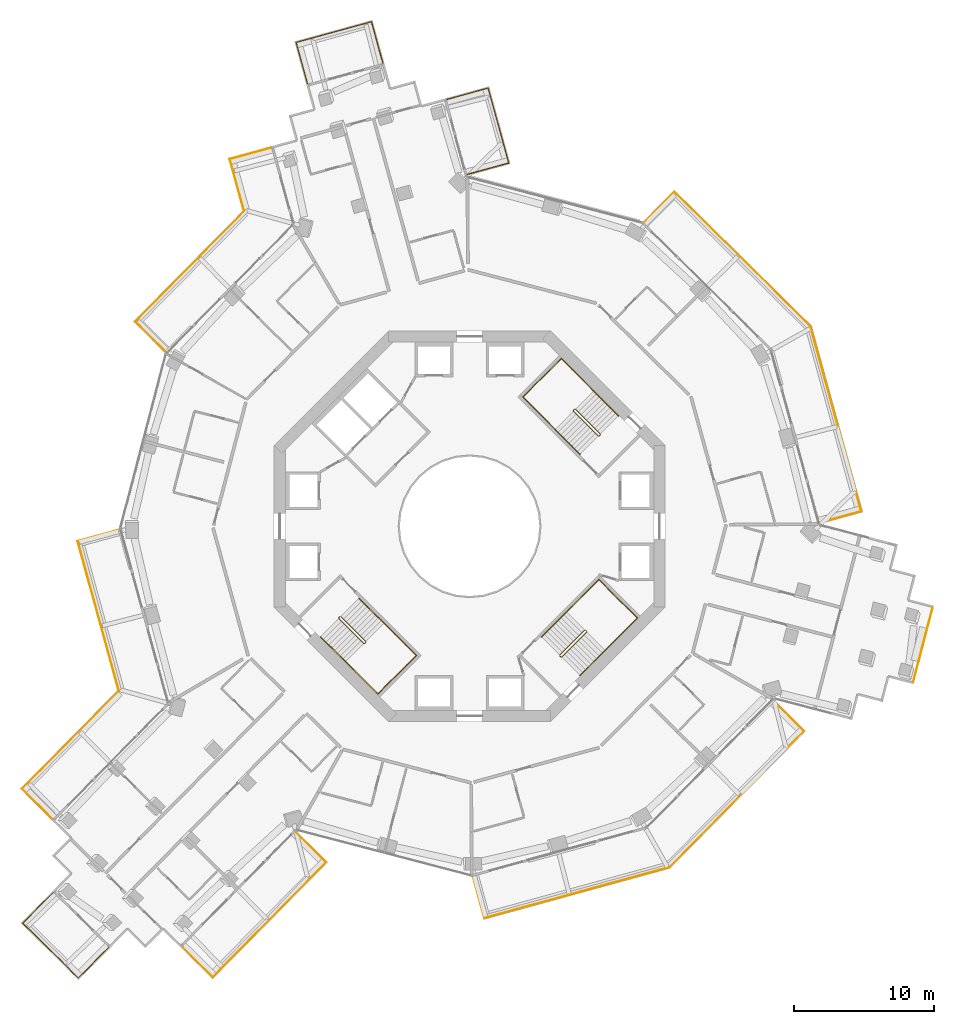
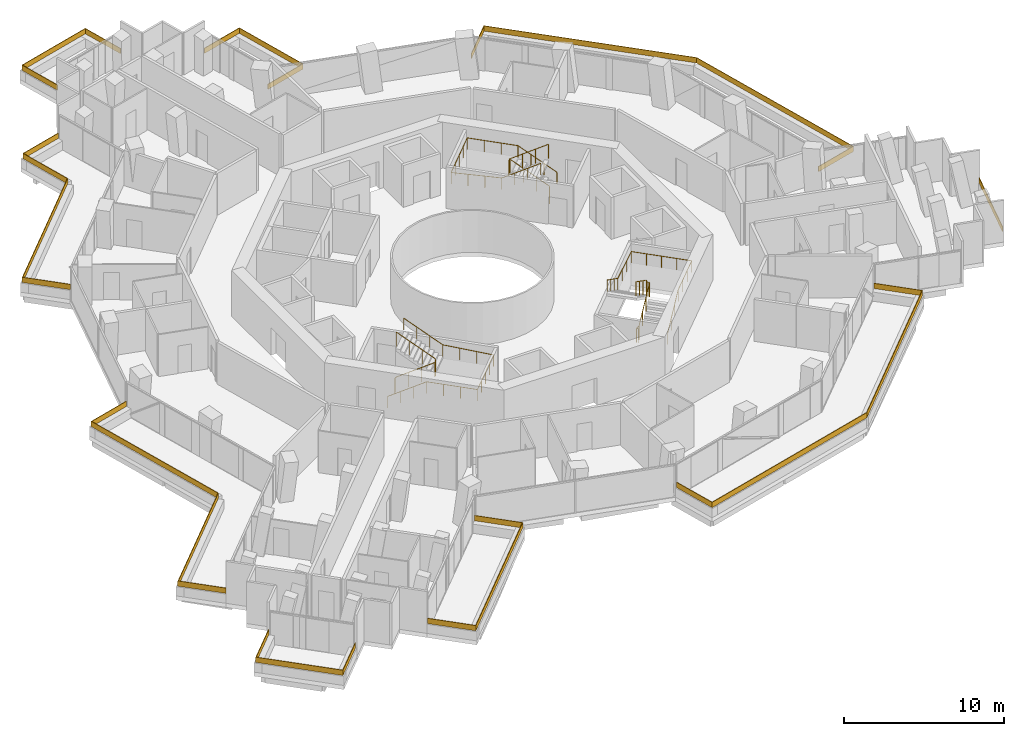
# One storey, part 26 of 26: 15 railings.
"""IFC4 building model written with IfcOpenShell, lengths in metres."""

from ifc_helpers import new_model, si_unit, direction, frame, origin, origin_2d, place, context, subcontext, project, spatial, polyline, rectangle, circle, outline, extrude, material, layer, layer_set, type_object, element, save


model = new_model("IFC4")

# Units and contexts
model_context = context("Model", 3, precision=1e-05, world=origin(), true_north=direction((0.0, 1.0)))
body_context = subcontext(model_context, "Body", "Model", "MODEL_VIEW")
ifc_project = project(units=[si_unit("LENGTHUNIT", "METRE"), si_unit("AREAUNIT", "SQUARE_METRE"), si_unit("VOLUMEUNIT", "CUBIC_METRE"), si_unit("PLANEANGLEUNIT", "RADIAN"), si_unit("MASSUNIT", "GRAM", prefix="KILO")], contexts=[model_context])

# Site, building, storey
site_placement = place(None, origin())
site = spatial("IfcSite", under=ifc_project, at=site_placement, CompositionType="ELEMENT")
building_placement = place(site_placement, origin())
building = spatial("IfcBuilding", under=site, at=building_placement, Name="Verdalira Terraces Hotel", CompositionType="ELEMENT")
storey_placement = place(building_placement, frame((0.0, 0.0, 96.5)))
storey = spatial("IfcBuildingStorey", under=building, at=storey_placement, Name="L22", CompositionType="ELEMENT", Elevation=96.5)

# Railings
ifc_material_1 = material(Name="Laminated glass", Category="glass")
ifc_layer = layer(ifc_material_1, 0.0400390625)
ifc_layer_set = layer_set([ifc_layer], Name="Balcony glass guard 400")
railing_type_1 = type_object("IfcRailingType", Name="Balcony glass guard 400", PredefinedType="GUARDRAIL", material=ifc_layer_set)
railing_1_placement = place(storey_placement, frame((0.0, 0.0, 0.699951)))
element("IfcRailing", 1, at=railing_1_placement, inside=storey, type_object=railing_type_1, Name="Balcony glass guard", PredefinedType="GUARDRAIL", context=body_context, shape_type="SweptSolid", body=[
    extrude(outline(polyline([(-7.042725, 36.133789), (-12.404297, 34.661133), (-11.588623, 31.692139), (-11.627197, 31.681396), (-12.453369, 34.689209), (-7.014893, 36.183105), (-6.188721, 33.175537), (-6.227295, 33.164795), (-7.042725, 36.133789)])), origin(), (0.0, 0.0, 1.0), 0.400146),
])
railing_2_placement = place(storey_placement, frame((0.0, 0.0, 0.699951)))
element("IfcRailing", 2, at=railing_2_placement, inside=storey, type_object=railing_type_1, Name="Balcony glass guard", PredefinedType="GUARDRAIL", context=body_context, shape_type="SweptSolid", body=[
    extrude(outline(polyline([(-17.160156, 26.302734), (-16.134521, 22.569092), (-23.935059, 14.669678), (-21.744385, 12.506104), (-21.772461, 12.477783), (-23.991699, 14.669434), (-16.179199, 22.580566), (-17.209229, 26.330811), (-14.20166, 27.156982), (-14.191162, 27.118408), (-17.160156, 26.302734)])), origin(), (0.0, 0.0, 1.0), 0.400146),
])
railing_3_placement = place(storey_placement, frame((0.0, 0.0, 0.699951)))
element("IfcRailing", 3, at=railing_3_placement, inside=storey, type_object=railing_type_1, Name="Balcony glass guard", PredefinedType="GUARDRAIL", context=body_context, shape_type="SweptSolid", body=[
    extrude(outline(polyline([(-28.051758, -1.089355), (-25.111084, -11.794678), (-32.047852, -18.818848), (-29.856934, -20.982422), (-29.88501, -21.010986), (-32.104248, -18.819336), (-25.155762, -11.782959), (-28.10083, -1.061279), (-25.093262, -0.235107), (-25.082764, -0.273682), (-28.051758, -1.089355)])), origin(), (0.0, 0.0, 1.0), 0.400146),
])
railing_4_placement = place(storey_placement, frame((0.0, 0.0, 0.699951)))
element("IfcRailing", 4, at=railing_4_placement, inside=storey, type_object=railing_type_1, Name="Balcony glass guard", PredefinedType="GUARDRAIL", context=body_context, shape_type="SweptSolid", body=[
    extrude(outline(polyline([(-31.987305, -28.435303), (-28.03125, -32.342041), (-25.867676, -30.151367), (-25.839355, -30.179443), (-28.030762, -32.398682), (-32.043945, -28.435791), (-29.852295, -26.216553), (-29.823975, -26.244629), (-31.987305, -28.435303)])), origin(), (0.0, 0.0, 1.0), 0.400146),
])
railing_5_placement = place(storey_placement, frame((0.0, 0.0, 0.699951)))
element("IfcRailing", 5, at=railing_5_placement, inside=storey, type_object=railing_type_1, Name="Balcony glass guard", PredefinedType="GUARDRAIL", context=body_context, shape_type="SweptSolid", body=[
    extrude(outline(polyline([(-18.414795, -32.281738), (-10.312988, -24.077393), (-12.503662, -21.914062), (-12.475586, -21.885498), (-10.256348, -24.077148), (-18.414307, -32.338379), (-20.633789, -30.146729), (-20.605469, -30.118164), (-18.414795, -32.281738)])), origin(), (0.0, 0.0, 1.0), 0.400146),
])
railing_6_placement = place(storey_placement, frame((0.0, 0.0, 0.699951)))
element("IfcRailing", 6, at=railing_6_placement, inside=storey, type_object=railing_type_1, Name="Balcony glass guard", PredefinedType="GUARDRAIL", context=body_context, shape_type="SweptSolid", body=[
    extrude(outline(polyline([(1.089355, -28.051758), (14.305176, -24.421387), (23.935059, -14.669678), (21.744385, -12.506104), (21.772461, -12.477783), (23.991699, -14.669434), (14.325928, -24.457275), (1.061279, -28.10083), (0.235107, -25.093262), (0.273682, -25.082764), (1.089355, -28.051758)])), origin(), (0.0, 0.0, 1.0), 0.400146),
])
railing_7_placement = place(storey_placement, frame((0.0, 0.0, 0.699951)))
element("IfcRailing", 7, at=railing_7_placement, inside=storey, type_object=railing_type_1, Name="Balcony glass guard", PredefinedType="GUARDRAIL", context=body_context, shape_type="SweptSolid", body=[
    extrude(outline(polyline([(28.051758, 1.089355), (24.421387, 14.305176), (14.669678, 23.935059), (12.506104, 21.744385), (12.477783, 21.772461), (14.669434, 23.991699), (24.457275, 14.325928), (28.10083, 1.061279), (25.093262, 0.235107), (25.082764, 0.273682), (28.051758, 1.089355)])), origin(), (0.0, 0.0, 1.0), 0.400146),
])
railing_8_placement = place(storey_placement, frame((0.0, 0.0, 0.699951)))
element("IfcRailing", 8, at=railing_8_placement, inside=storey, type_object=railing_type_1, Name="Balcony glass guard", PredefinedType="GUARDRAIL", context=body_context, shape_type="SweptSolid", body=[
    extrude(outline(polyline([(2.780518, 26.045166), (1.31543, 31.37793), (-1.653564, 30.5625), (-1.664062, 30.601074), (1.343506, 31.427246), (2.82959, 26.01709), (-0.177979, 25.190918), (-0.188721, 25.229492), (2.780518, 26.045166)])), origin(), (0.0, 0.0, 1.0), 0.400146),
])
railing_9_placement = place(storey_placement, frame((32.488525, -8.486816, 0.699951), z_axis=(0.0, 0.0, 1.0), x_axis=(0.252744885, 0.967532957, 0.0)))
element("IfcRailing", 9, at=railing_9_placement, inside=storey, type_object=railing_type_1, Name="Loggia glass guard", PredefinedType="GUARDRAIL", context=body_context, shape_type="SweptSolid", body=[
    extrude(rectangle(XDim=5.5, YDim=0.040039, at=origin_2d()), origin(), (0.0, 0.0, 1.0), 0.399902),
])
ifc_material_2 = material(Name="Stainless steel", Category="steel")
railing_type_2 = type_object("IfcRailingType", Name="Stair guard 1100", PredefinedType="GUARDRAIL", material=ifc_material_2)
railing_10_placement = place(storey_placement, frame((9.369141, 6.540771, 0.0)))
element("IfcRailing", 10, at=railing_10_placement, inside=storey, type_object=railing_type_2, Name="L22 ST1 stair guard 1", PredefinedType="GUARDRAIL", context=body_context, shape_type="SweptSolid", body=[
    extrude(circle(Radius=0.023926, at=origin_2d()), frame((0.0, 0.0, 1.076172), z_axis=(-0.707106781, -0.707106781, 0.0), x_axis=(0.707106781, -0.707106781, 0.0)), (0.0, 0.0, 1.0), 0.100098),
    extrude(circle(Radius=0.023926, at=origin_2d()), frame((-0.070801, -0.070801, 1.076172), z_axis=(0.300162975, 0.599290904, 0.742127078), x_axis=(-0.894118129, 0.447831187, 0.0)), (0.0, 0.0, 1.0), 0.23584),
    extrude(circle(Radius=0.023926, at=origin_2d()), frame((0.0, 0.070557, 1.250977), z_axis=(-0.599637504, 0.599637504, 0.52997144), x_axis=(-0.707106781, -0.707106781, 0.0)), (0.0, 0.0, 1.0), 2.97168),
    extrude(circle(Radius=0.023926, at=origin_2d()), frame((-1.781982, 1.852539, 2.826172), z_axis=(-1.0, 0.0, 0.0), x_axis=(0.0, -1.0, 0.0)), (0.0, 0.0, 1.0), 0.070557),
    extrude(circle(Radius=0.023926, at=origin_2d()), frame((-1.852539, 1.852539, 2.826172), z_axis=(-0.70832698, -0.705884473, 0.0), x_axis=(0.705884473, -0.70832698, 0.0)), (0.0, 0.0, 1.0), 0.099854),
    extrude(circle(Radius=0.023926, at=origin_2d()), frame((-1.92334, 1.781982, 2.826172), z_axis=(0.0, -0.374954687, 0.92704314), x_axis=(1.0, 0.0, 0.0)), (0.0, 0.0, 1.0), 0.188721),
    extrude(circle(Radius=0.023926, at=origin_2d()), frame((-1.92334, 1.711182, 3.000977), z_axis=(0.599637504, -0.599637504, 0.52997144), x_axis=(0.707106781, 0.707106781, 0.0)), (0.0, 0.0, 1.0), 2.97168),
    extrude(circle(Radius=0.020996, at=origin_2d()), origin(), (0.0, 0.0, 1.0), 1.052002),
    extrude(circle(Radius=0.020996, at=origin_2d()), frame((-0.070801, -0.070801, 0.0)), (0.0, 0.0, 1.0), 1.052002),
    extrude(circle(Radius=0.020996, at=origin_2d()), frame((0.0, 0.070557, 0.175049)), (0.0, 0.0, 1.0), 1.052002),
    extrude(circle(Radius=0.020996, at=origin_2d()), frame((-0.593994, 0.664551, 0.699951)), (0.0, 0.0, 1.0), 1.052002),
    extrude(circle(Radius=0.020996, at=origin_2d()), frame((-1.187988, 1.258545, 1.225098)), (0.0, 0.0, 1.0), 1.052002),
    extrude(circle(Radius=0.020996, at=origin_2d()), frame((-1.781982, 1.852539, 1.75)), (0.0, 0.0, 1.0), 1.052002),
    extrude(circle(Radius=0.020996, at=origin_2d()), frame((-1.852539, 1.852539, 1.75)), (0.0, 0.0, 1.0), 1.052002),
    extrude(circle(Radius=0.020996, at=origin_2d()), frame((-1.92334, 1.781982, 1.75)), (0.0, 0.0, 1.0), 1.052002),
    extrude(circle(Radius=0.020996, at=origin_2d()), frame((-1.92334, 1.711182, 1.925049)), (0.0, 0.0, 1.0), 1.052002),
    extrude(circle(Radius=0.020996, at=origin_2d()), frame((-1.329346, 1.117188, 2.449951)), (0.0, 0.0, 1.0), 1.052002),
    extrude(circle(Radius=0.020996, at=origin_2d()), frame((-0.735352, 0.523193, 2.975098)), (0.0, 0.0, 1.0), 1.052002),
    extrude(circle(Radius=0.020996, at=origin_2d()), frame((-0.141357, -0.070801, 3.5)), (0.0, 0.0, 1.0), 1.052002),
])
railing_11_placement = place(storey_placement, frame((-9.369141, -6.540771, 0.0)))
element("IfcRailing", 11, at=railing_11_placement, inside=storey, type_object=railing_type_2, Name="L22 ST2 stair guard 1", PredefinedType="GUARDRAIL", context=body_context, shape_type="SweptSolid", body=[
    extrude(circle(Radius=0.023926, at=origin_2d()), frame((0.0, 0.0, 1.076172), z_axis=(0.707106781, 0.707106781, 0.0), x_axis=(-0.707106781, 0.707106781, 0.0)), (0.0, 0.0, 1.0), 0.100098),
    extrude(circle(Radius=0.023926, at=origin_2d()), frame((0.070801, 0.070801, 1.076172), z_axis=(-0.300162975, -0.599290904, 0.742127078), x_axis=(0.894118129, -0.447831187, 0.0)), (0.0, 0.0, 1.0), 0.23584),
    extrude(circle(Radius=0.023926, at=origin_2d()), frame((0.0, -0.070557, 1.250977), z_axis=(0.599637504, -0.599637504, 0.52997144), x_axis=(0.707106781, 0.707106781, 0.0)), (0.0, 0.0, 1.0), 2.97168),
    extrude(circle(Radius=0.023926, at=origin_2d()), frame((1.781982, -1.852539, 2.826172), z_axis=(1.0, 0.0, 0.0), x_axis=(0.0, 1.0, 0.0)), (0.0, 0.0, 1.0), 0.070557),
    extrude(circle(Radius=0.023926, at=origin_2d()), frame((1.852539, -1.852539, 2.826172), z_axis=(0.70832698, 0.705884473, 0.0), x_axis=(-0.705884473, 0.70832698, 0.0)), (0.0, 0.0, 1.0), 0.099854),
    extrude(circle(Radius=0.023926, at=origin_2d()), frame((1.92334, -1.781982, 2.826172), z_axis=(0.0, 0.374954687, 0.92704314), x_axis=(-1.0, 0.0, 0.0)), (0.0, 0.0, 1.0), 0.188721),
    extrude(circle(Radius=0.023926, at=origin_2d()), frame((1.92334, -1.711182, 3.000977), z_axis=(-0.599637504, 0.599637504, 0.52997144), x_axis=(-0.707106781, -0.707106781, 0.0)), (0.0, 0.0, 1.0), 2.97168),
    extrude(circle(Radius=0.020996, at=origin_2d()), origin(), (0.0, 0.0, 1.0), 1.052002),
    extrude(circle(Radius=0.020996, at=origin_2d()), frame((0.070801, 0.070801, 0.0)), (0.0, 0.0, 1.0), 1.052002),
    extrude(circle(Radius=0.020996, at=origin_2d()), frame((0.0, -0.070557, 0.175049)), (0.0, 0.0, 1.0), 1.052002),
    extrude(circle(Radius=0.020996, at=origin_2d()), frame((0.593994, -0.664551, 0.699951)), (0.0, 0.0, 1.0), 1.052002),
    extrude(circle(Radius=0.020996, at=origin_2d()), frame((1.187988, -1.258545, 1.225098)), (0.0, 0.0, 1.0), 1.052002),
    extrude(circle(Radius=0.020996, at=origin_2d()), frame((1.781982, -1.852539, 1.75)), (0.0, 0.0, 1.0), 1.052002),
    extrude(circle(Radius=0.020996, at=origin_2d()), frame((1.852539, -1.852539, 1.75)), (0.0, 0.0, 1.0), 1.052002),
    extrude(circle(Radius=0.020996, at=origin_2d()), frame((1.92334, -1.781982, 1.75)), (0.0, 0.0, 1.0), 1.052002),
    extrude(circle(Radius=0.020996, at=origin_2d()), frame((1.92334, -1.711182, 1.925049)), (0.0, 0.0, 1.0), 1.052002),
    extrude(circle(Radius=0.020996, at=origin_2d()), frame((1.329346, -1.117188, 2.449951)), (0.0, 0.0, 1.0), 1.052002),
    extrude(circle(Radius=0.020996, at=origin_2d()), frame((0.735352, -0.523193, 2.975098)), (0.0, 0.0, 1.0), 1.052002),
    extrude(circle(Radius=0.020996, at=origin_2d()), frame((0.141357, 0.070801, 3.5)), (0.0, 0.0, 1.0), 1.052002),
])
railing_12_placement = place(storey_placement, frame((6.540771, -9.369141, 0.0)))
element("IfcRailing", 12, at=railing_12_placement, inside=storey, type_object=railing_type_2, Name="L22 ST3 stair guard 1", PredefinedType="GUARDRAIL", context=body_context, shape_type="SweptSolid", body=[
    extrude(circle(Radius=0.023926, at=origin_2d()), frame((0.0, 0.0, 1.076172), z_axis=(-0.707106781, 0.707106781, 0.0), x_axis=(-0.707106781, -0.707106781, 0.0)), (0.0, 0.0, 1.0), 0.100098),
    extrude(circle(Radius=0.023926, at=origin_2d()), frame((-0.070801, 0.070801, 1.076172), z_axis=(0.599290904, -0.300162975, 0.742127078), x_axis=(0.447831187, 0.894118129, 0.0)), (0.0, 0.0, 1.0), 0.23584),
    extrude(circle(Radius=0.023926, at=origin_2d()), frame((0.070557, 0.0, 1.250977), z_axis=(0.599637504, 0.599637504, 0.52997144), x_axis=(-0.707106781, 0.707106781, 0.0)), (0.0, 0.0, 1.0), 2.97168),
    extrude(circle(Radius=0.023926, at=origin_2d()), frame((1.852539, 1.781982, 2.826172), z_axis=(0.0, 1.0, 0.0), x_axis=(-1.0, 0.0, 0.0)), (0.0, 0.0, 1.0), 0.070557),
    extrude(circle(Radius=0.023926, at=origin_2d()), frame((1.852539, 1.852539, 2.826172), z_axis=(-0.705884473, 0.70832698, 0.0), x_axis=(-0.70832698, -0.705884473, 0.0)), (0.0, 0.0, 1.0), 0.099854),
    extrude(circle(Radius=0.023926, at=origin_2d()), frame((1.781982, 1.92334, 2.826172), z_axis=(-0.374954687, 0.0, 0.92704314), x_axis=(0.0, -1.0, 0.0)), (0.0, 0.0, 1.0), 0.188721),
    extrude(circle(Radius=0.023926, at=origin_2d()), frame((1.711182, 1.92334, 3.000977), z_axis=(-0.599637504, -0.599637504, 0.52997144), x_axis=(0.707106781, -0.707106781, 0.0)), (0.0, 0.0, 1.0), 2.97168),
    extrude(circle(Radius=0.020996, at=origin_2d()), origin(), (0.0, 0.0, 1.0), 1.052002),
    extrude(circle(Radius=0.020996, at=origin_2d()), frame((-0.070801, 0.070801, 0.0)), (0.0, 0.0, 1.0), 1.052002),
    extrude(circle(Radius=0.020996, at=origin_2d()), frame((0.070557, 0.0, 0.175049)), (0.0, 0.0, 1.0), 1.052002),
    extrude(circle(Radius=0.020996, at=origin_2d()), frame((0.664551, 0.593994, 0.699951)), (0.0, 0.0, 1.0), 1.052002),
    extrude(circle(Radius=0.020996, at=origin_2d()), frame((1.258545, 1.187988, 1.225098)), (0.0, 0.0, 1.0), 1.052002),
    extrude(circle(Radius=0.020996, at=origin_2d()), frame((1.852539, 1.781982, 1.75)), (0.0, 0.0, 1.0), 1.052002),
    extrude(circle(Radius=0.020996, at=origin_2d()), frame((1.852539, 1.852539, 1.75)), (0.0, 0.0, 1.0), 1.052002),
    extrude(circle(Radius=0.020996, at=origin_2d()), frame((1.781982, 1.92334, 1.75)), (0.0, 0.0, 1.0), 1.052002),
    extrude(circle(Radius=0.020996, at=origin_2d()), frame((1.711182, 1.92334, 1.925049)), (0.0, 0.0, 1.0), 1.052002),
    extrude(circle(Radius=0.020996, at=origin_2d()), frame((1.117188, 1.329346, 2.449951)), (0.0, 0.0, 1.0), 1.052002),
    extrude(circle(Radius=0.020996, at=origin_2d()), frame((0.523193, 0.735352, 2.975098)), (0.0, 0.0, 1.0), 1.052002),
    extrude(circle(Radius=0.020996, at=origin_2d()), frame((-0.070801, 0.141357, 3.5)), (0.0, 0.0, 1.0), 1.052002),
])
ifc_material_3 = material(Name="Stainless steel", Category="steel")
railing_type_3 = type_object("IfcRailingType", Name="Stair handrail 900", PredefinedType="HANDRAIL", material=ifc_material_3)
railing_13_placement = place(storey_placement, frame((10.677246, 7.919678, 0.175049)))
element("IfcRailing", 13, at=railing_13_placement, inside=storey, type_object=railing_type_3, Name="L22 ST1 stair handrail 1", PredefinedType="HANDRAIL", context=body_context, shape_type="SweptSolid", body=[
    extrude(circle(Radius=0.023926, at=origin_2d()), frame((0.0, 0.0, 0.875977), z_axis=(-0.599614426, 0.599614426, 0.530023659), x_axis=(-0.707106781, -0.707106781, 0.0)), (0.0, 0.0, 1.0), 2.971436),
    extrude(circle(Radius=0.023926, at=origin_2d()), frame((-1.781738, 1.781738, 2.450684), z_axis=(-0.707106781, 0.707106781, 0.0), x_axis=(-0.707106781, -0.707106781, 0.0)), (0.0, 0.0, 1.0), 3.280029),
    extrude(circle(Radius=0.023926, at=origin_2d()), frame((-4.101074, 4.101074, 2.450684), z_axis=(-0.707138081, -0.70707548, 0.0), x_axis=(0.70707548, -0.707138081, 0.0)), (0.0, 0.0, 1.0), 3.899902),
    extrude(circle(Radius=0.023926, at=origin_2d()), frame((-6.858887, 1.343506, 2.450684), z_axis=(0.706101958, -0.706101958, 0.053292116), x_axis=(0.707106781, 0.707106781, 0.0)), (0.0, 0.0, 1.0), 3.284668),
    extrude(circle(Radius=0.023926, at=origin_2d()), frame((-4.539551, -0.97583, 2.625977), z_axis=(0.599637504, -0.599637504, 0.52997144), x_axis=(0.707106781, 0.707106781, 0.0)), (0.0, 0.0, 1.0), 2.97168),
    extrude(circle(Radius=0.020996, at=origin_2d()), origin(), (0.0, 0.0, 1.0), 0.851807),
    extrude(circle(Radius=0.020996, at=origin_2d()), frame((-0.593994, 0.593994, 0.524902)), (0.0, 0.0, 1.0), 0.851807),
    extrude(circle(Radius=0.020996, at=origin_2d()), frame((-1.187744, 1.187744, 1.050049)), (0.0, 0.0, 1.0), 0.851807),
    extrude(circle(Radius=0.020996, at=origin_2d()), frame((-1.781738, 1.781738, 1.574951)), (0.0, 0.0, 1.0), 0.851807),
    extrude(circle(Radius=0.020996, at=origin_2d()), frame((-2.554932, 2.554932, 1.574951)), (0.0, 0.0, 1.0), 0.851807),
    extrude(circle(Radius=0.020996, at=origin_2d()), frame((-3.327881, 3.327881, 1.574951)), (0.0, 0.0, 1.0), 0.851807),
    extrude(circle(Radius=0.020996, at=origin_2d()), frame((-4.101074, 4.101074, 1.574951)), (0.0, 0.0, 1.0), 0.851807),
    extrude(circle(Radius=0.020996, at=origin_2d()), frame((-4.790527, 3.411621, 1.574951)), (0.0, 0.0, 1.0), 0.851807),
    extrude(circle(Radius=0.020996, at=origin_2d()), frame((-5.47998, 2.722168, 1.574951)), (0.0, 0.0, 1.0), 0.851807),
    extrude(circle(Radius=0.020996, at=origin_2d()), frame((-6.169434, 2.032959, 1.574951)), (0.0, 0.0, 1.0), 0.851807),
    extrude(circle(Radius=0.020996, at=origin_2d()), frame((-6.858887, 1.343506, 1.574951)), (0.0, 0.0, 1.0), 0.851807),
    extrude(circle(Radius=0.020996, at=origin_2d()), frame((-6.085693, 0.570312, 1.633301)), (0.0, 0.0, 1.0), 0.851807),
    extrude(circle(Radius=0.020996, at=origin_2d()), frame((-5.312744, -0.202637, 1.69165)), (0.0, 0.0, 1.0), 0.851807),
    extrude(circle(Radius=0.020996, at=origin_2d()), frame((-4.539551, -0.97583, 1.75)), (0.0, 0.0, 1.0), 0.851807),
    extrude(circle(Radius=0.020996, at=origin_2d()), frame((-3.945557, -1.569824, 2.274902)), (0.0, 0.0, 1.0), 0.851807),
    extrude(circle(Radius=0.020996, at=origin_2d()), frame((-3.351562, -2.163818, 2.800049)), (0.0, 0.0, 1.0), 0.851807),
    extrude(circle(Radius=0.020996, at=origin_2d()), frame((-2.757568, -2.757812, 3.324951)), (0.0, 0.0, 1.0), 0.851807),
])
railing_14_placement = place(storey_placement, frame((-10.677246, -7.919678, 0.175049)))
element("IfcRailing", 14, at=railing_14_placement, inside=storey, type_object=railing_type_3, Name="L22 ST2 stair handrail 1", PredefinedType="HANDRAIL", context=body_context, shape_type="SweptSolid", body=[
    extrude(circle(Radius=0.023926, at=origin_2d()), frame((0.0, 0.0, 0.875977), z_axis=(0.599614426, -0.599614426, 0.530023659), x_axis=(0.707106781, 0.707106781, 0.0)), (0.0, 0.0, 1.0), 2.971436),
    extrude(circle(Radius=0.023926, at=origin_2d()), frame((1.781738, -1.781738, 2.450684), z_axis=(0.707106781, -0.707106781, 0.0), x_axis=(0.707106781, 0.707106781, 0.0)), (0.0, 0.0, 1.0), 3.280029),
    extrude(circle(Radius=0.023926, at=origin_2d()), frame((4.101074, -4.101074, 2.450684), z_axis=(0.707138081, 0.70707548, 0.0), x_axis=(-0.70707548, 0.707138081, 0.0)), (0.0, 0.0, 1.0), 3.899902),
    extrude(circle(Radius=0.023926, at=origin_2d()), frame((6.858887, -1.343506, 2.450684), z_axis=(-0.706101958, 0.706101958, 0.053292116), x_axis=(-0.707106781, -0.707106781, 0.0)), (0.0, 0.0, 1.0), 3.284668),
    extrude(circle(Radius=0.023926, at=origin_2d()), frame((4.539551, 0.97583, 2.625977), z_axis=(-0.599637504, 0.599637504, 0.52997144), x_axis=(-0.707106781, -0.707106781, 0.0)), (0.0, 0.0, 1.0), 2.97168),
    extrude(circle(Radius=0.020996, at=origin_2d()), origin(), (0.0, 0.0, 1.0), 0.851807),
    extrude(circle(Radius=0.020996, at=origin_2d()), frame((0.593994, -0.593994, 0.524902)), (0.0, 0.0, 1.0), 0.851807),
    extrude(circle(Radius=0.020996, at=origin_2d()), frame((1.187744, -1.187744, 1.050049)), (0.0, 0.0, 1.0), 0.851807),
    extrude(circle(Radius=0.020996, at=origin_2d()), frame((1.781738, -1.781738, 1.574951)), (0.0, 0.0, 1.0), 0.851807),
    extrude(circle(Radius=0.020996, at=origin_2d()), frame((2.554932, -2.554932, 1.574951)), (0.0, 0.0, 1.0), 0.851807),
    extrude(circle(Radius=0.020996, at=origin_2d()), frame((3.327881, -3.327881, 1.574951)), (0.0, 0.0, 1.0), 0.851807),
    extrude(circle(Radius=0.020996, at=origin_2d()), frame((4.101074, -4.101074, 1.574951)), (0.0, 0.0, 1.0), 0.851807),
    extrude(circle(Radius=0.020996, at=origin_2d()), frame((4.790527, -3.411621, 1.574951)), (0.0, 0.0, 1.0), 0.851807),
    extrude(circle(Radius=0.020996, at=origin_2d()), frame((5.47998, -2.722168, 1.574951)), (0.0, 0.0, 1.0), 0.851807),
    extrude(circle(Radius=0.020996, at=origin_2d()), frame((6.169434, -2.032959, 1.574951)), (0.0, 0.0, 1.0), 0.851807),
    extrude(circle(Radius=0.020996, at=origin_2d()), frame((6.858887, -1.343506, 1.574951)), (0.0, 0.0, 1.0), 0.851807),
    extrude(circle(Radius=0.020996, at=origin_2d()), frame((6.085693, -0.570312, 1.633301)), (0.0, 0.0, 1.0), 0.851807),
    extrude(circle(Radius=0.020996, at=origin_2d()), frame((5.312744, 0.202637, 1.69165)), (0.0, 0.0, 1.0), 0.851807),
    extrude(circle(Radius=0.020996, at=origin_2d()), frame((4.539551, 0.97583, 1.75)), (0.0, 0.0, 1.0), 0.851807),
    extrude(circle(Radius=0.020996, at=origin_2d()), frame((3.945557, 1.569824, 2.274902)), (0.0, 0.0, 1.0), 0.851807),
    extrude(circle(Radius=0.020996, at=origin_2d()), frame((3.351562, 2.163818, 2.800049)), (0.0, 0.0, 1.0), 0.851807),
    extrude(circle(Radius=0.020996, at=origin_2d()), frame((2.757568, 2.757812, 3.324951)), (0.0, 0.0, 1.0), 0.851807),
])
railing_15_placement = place(storey_placement, frame((7.919678, -10.677246, 0.175049)))
element("IfcRailing", 15, at=railing_15_placement, inside=storey, type_object=railing_type_3, Name="L22 ST3 stair handrail 1", PredefinedType="HANDRAIL", context=body_context, shape_type="SweptSolid", body=[
    extrude(circle(Radius=0.023926, at=origin_2d()), frame((0.0, 0.0, 0.875977), z_axis=(0.599614426, 0.599614426, 0.530023659), x_axis=(-0.707106781, 0.707106781, 0.0)), (0.0, 0.0, 1.0), 2.971436),
    extrude(circle(Radius=0.023926, at=origin_2d()), frame((1.781738, 1.781738, 2.450684), z_axis=(0.707106781, 0.707106781, 0.0), x_axis=(-0.707106781, 0.707106781, 0.0)), (0.0, 0.0, 1.0), 3.280029),
    extrude(circle(Radius=0.023926, at=origin_2d()), frame((4.101074, 4.101074, 2.450684), z_axis=(-0.70707548, 0.707138081, 0.0), x_axis=(-0.707138081, -0.70707548, 0.0)), (0.0, 0.0, 1.0), 3.899902),
    extrude(circle(Radius=0.023926, at=origin_2d()), frame((1.343506, 6.858887, 2.450684), z_axis=(-0.706101958, -0.706101958, 0.053292116), x_axis=(0.707106781, -0.707106781, 0.0)), (0.0, 0.0, 1.0), 3.284668),
    extrude(circle(Radius=0.023926, at=origin_2d()), frame((-0.97583, 4.539551, 2.625977), z_axis=(-0.599637504, -0.599637504, 0.52997144), x_axis=(0.707106781, -0.707106781, 0.0)), (0.0, 0.0, 1.0), 2.97168),
    extrude(circle(Radius=0.020996, at=origin_2d()), origin(), (0.0, 0.0, 1.0), 0.851807),
    extrude(circle(Radius=0.020996, at=origin_2d()), frame((0.593994, 0.593994, 0.524902)), (0.0, 0.0, 1.0), 0.851807),
    extrude(circle(Radius=0.020996, at=origin_2d()), frame((1.187744, 1.187744, 1.050049)), (0.0, 0.0, 1.0), 0.851807),
    extrude(circle(Radius=0.020996, at=origin_2d()), frame((1.781738, 1.781738, 1.574951)), (0.0, 0.0, 1.0), 0.851807),
    extrude(circle(Radius=0.020996, at=origin_2d()), frame((2.554932, 2.554932, 1.574951)), (0.0, 0.0, 1.0), 0.851807),
    extrude(circle(Radius=0.020996, at=origin_2d()), frame((3.327881, 3.327881, 1.574951)), (0.0, 0.0, 1.0), 0.851807),
    extrude(circle(Radius=0.020996, at=origin_2d()), frame((4.101074, 4.101074, 1.574951)), (0.0, 0.0, 1.0), 0.851807),
    extrude(circle(Radius=0.020996, at=origin_2d()), frame((3.411621, 4.790527, 1.574951)), (0.0, 0.0, 1.0), 0.851807),
    extrude(circle(Radius=0.020996, at=origin_2d()), frame((2.722168, 5.47998, 1.574951)), (0.0, 0.0, 1.0), 0.851807),
    extrude(circle(Radius=0.020996, at=origin_2d()), frame((2.032959, 6.169434, 1.574951)), (0.0, 0.0, 1.0), 0.851807),
    extrude(circle(Radius=0.020996, at=origin_2d()), frame((1.343506, 6.858887, 1.574951)), (0.0, 0.0, 1.0), 0.851807),
    extrude(circle(Radius=0.020996, at=origin_2d()), frame((0.570312, 6.085693, 1.633301)), (0.0, 0.0, 1.0), 0.851807),
    extrude(circle(Radius=0.020996, at=origin_2d()), frame((-0.202637, 5.312744, 1.69165)), (0.0, 0.0, 1.0), 0.851807),
    extrude(circle(Radius=0.020996, at=origin_2d()), frame((-0.97583, 4.539551, 1.75)), (0.0, 0.0, 1.0), 0.851807),
    extrude(circle(Radius=0.020996, at=origin_2d()), frame((-1.569824, 3.945557, 2.274902)), (0.0, 0.0, 1.0), 0.851807),
    extrude(circle(Radius=0.020996, at=origin_2d()), frame((-2.163818, 3.351562, 2.800049)), (0.0, 0.0, 1.0), 0.851807),
    extrude(circle(Radius=0.020996, at=origin_2d()), frame((-2.757812, 2.757568, 3.324951)), (0.0, 0.0, 1.0), 0.851807),
])

save(model, "model.ifc")
